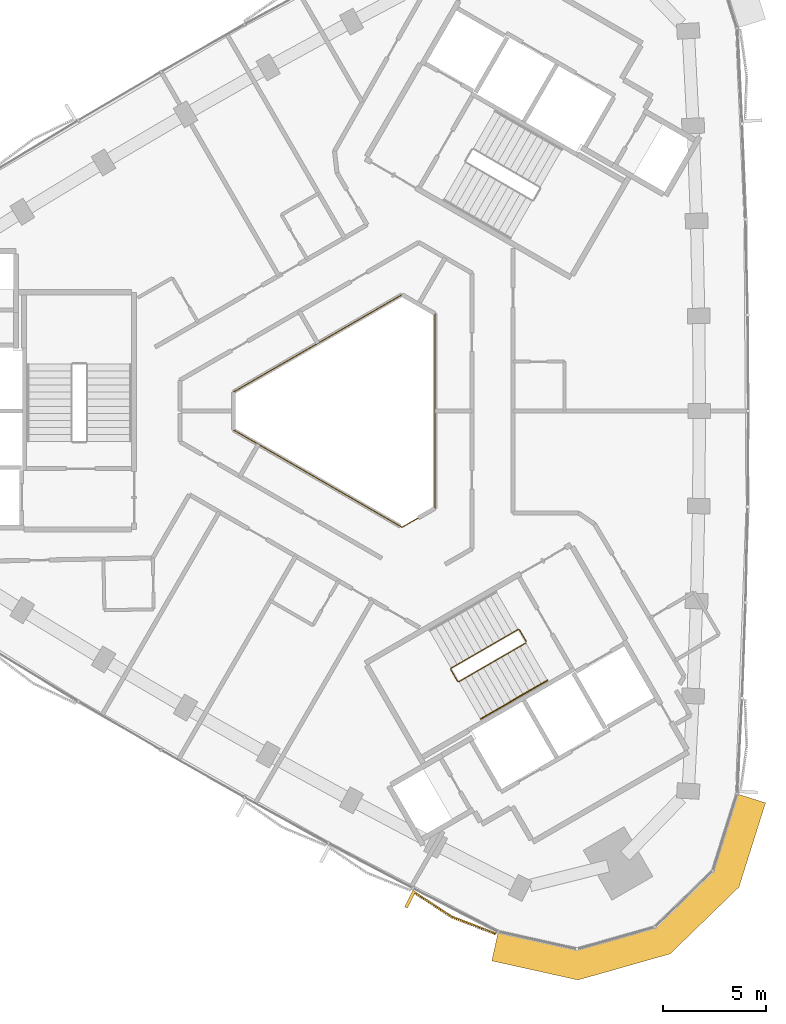
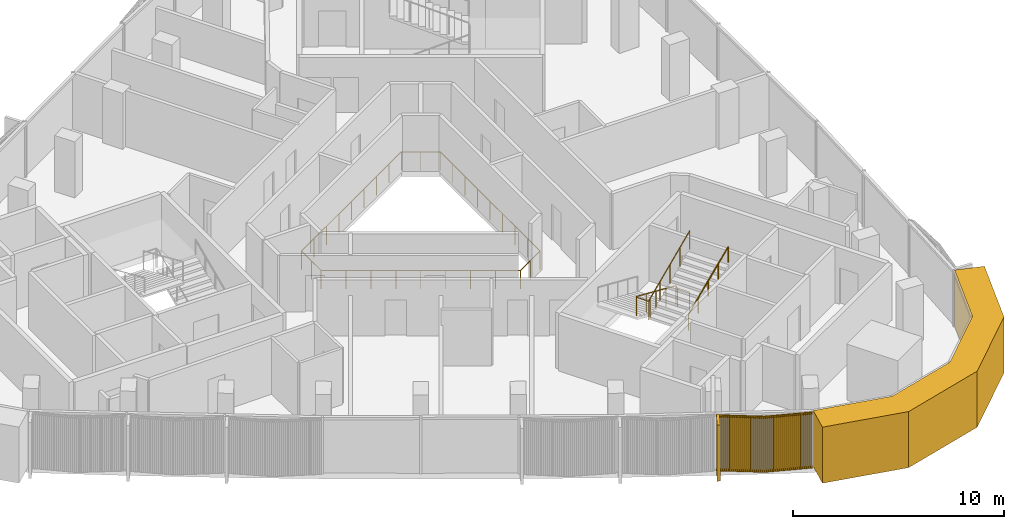
# One storey, part 13 of 16: 3 railings, 2 coverings.
"""IFC4 building model written with IfcOpenShell, lengths in metres."""

from ifc_helpers import new_model, si_unit, direction, frame, frame_2d, origin, origin_2d, place, context, subcontext, project, spatial, polyline, rectangle, circle, outline, extrude, source, transform, mapped, material, layer, layer_set, type_object, element, save


model = new_model("IFC4")

# Units and contexts
model_context = context("Model", 3, precision=1e-05, world=origin(), true_north=direction((0.0, 1.0)))
body_context = subcontext(model_context, "Body", "Model", "MODEL_VIEW")
ifc_project = project(units=[si_unit("LENGTHUNIT", "METRE"), si_unit("AREAUNIT", "SQUARE_METRE"), si_unit("VOLUMEUNIT", "CUBIC_METRE"), si_unit("PLANEANGLEUNIT", "RADIAN"), si_unit("MASSUNIT", "GRAM", prefix="KILO")], contexts=[model_context])

# Site, building, storey
site_placement = place(None, origin())
site = spatial("IfcSite", under=ifc_project, at=site_placement, CompositionType="ELEMENT")
building_placement = place(site_placement, origin())
building = spatial("IfcBuilding", under=site, at=building_placement, Name="Tamra Quay Hotel Tower", CompositionType="ELEMENT")
storey_placement = place(building_placement, frame((0.0, 0.0, 239.39990234375)))
storey = spatial("IfcBuildingStorey", under=building, at=storey_placement, Name="L60", CompositionType="ELEMENT", Elevation=239.39990234375)

# Covering
ifc_material_1 = material(Name="Precast concrete M60 terracotta-coloured", Category="masonry")
ifc_layer = layer(ifc_material_1, 1.449951171875)
ifc_layer_set = layer_set([ifc_layer], Name="CORNER PIER PANEL")
covering_type_1 = type_object("IfcCoveringType", Name="CORNER PIER PANEL", PredefinedType="CLADDING", material=ifc_layer_set)
covering_1_placement = place(storey_placement, origin())
element("IfcCovering", 1, at=covering_1_placement, inside=storey, type_object=covering_type_1, Name="Corner pier L60.south-west", PredefinedType="CLADDING", context=body_context, shape_type="SweptSolid", body=[
    extrude(outline(polyline([(6.880615234375, -25.343017578125), (6.567138671875, -26.758544921875), (10.763671875, -27.68798828125), (15.250732421875, -26.415283203125), (18.5966796875, -23.165771484375), (19.89013671875, -19.066650390625), (18.50732421875, -18.63037109375), (17.323974609375, -22.38037109375), (14.503173828125, -25.1201171875), (10.719970703125, -26.193115234375), (6.880615234375, -25.343017578125)])), origin(), (0.0, 0.0, 1.0), 3.25),
])

# Railings
ifc_material_2 = material(Name="Guard atrium edge 1100")
railing_type_1 = type_object("IfcRailingType", Name="Guard atrium edge 1100", PredefinedType="GUARDRAIL", material=ifc_material_2)
railing_1_placement = place(storey_placement, frame((3.800048828125, -4.73388671875, 0.0)))
element("IfcRailing", 2, at=railing_1_placement, inside=storey, type_object=railing_type_1, Name="G-A", PredefinedType="GUARDRAIL", context=body_context, shape_type="SweptSolid", body=[
    extrude(circle(Radius=0.02392578125, at=origin_2d()), frame((0.0, 0.0, 1.076171875), z_axis=(-0.865965533559, -0.500103683937, 0.0), x_axis=(0.500103683937, -0.865965533559, 0.0)), (0.0, 0.0, 1.0), 1.84765625),
    extrude(circle(Radius=0.02392578125, at=origin_2d()), frame((-1.60009765625, -0.924072265625, 1.076171875), z_axis=(-0.86604174356, 0.49997169761, 0.0), x_axis=(-0.49997169761, -0.86604174356, 0.0)), (0.0, 0.0, 1.0), 9.46826171875),
    extrude(circle(Radius=0.02392578125, at=origin_2d()), frame((-9.800048828125, 3.809814453125, 1.076171875), z_axis=(0.0, 1.0, 0.0), x_axis=(-1.0, 0.0, 0.0)), (0.0, 0.0, 1.0), 1.84814453125),
    extrude(circle(Radius=0.02392578125, at=origin_2d()), frame((-9.800048828125, 5.657958984375, 1.076171875), z_axis=(0.86604174356, 0.49997169761, 0.0), x_axis=(-0.49997169761, 0.86604174356, 0.0)), (0.0, 0.0, 1.0), 9.46826171875),
    extrude(circle(Radius=0.02392578125, at=origin_2d()), frame((-1.60009765625, 10.391845703125, 1.076171875), z_axis=(0.865965533559, -0.500103683937, 0.0), x_axis=(0.500103683937, 0.865965533559, 0.0)), (0.0, 0.0, 1.0), 1.84765625),
    extrude(circle(Radius=0.02392578125, at=origin_2d()), frame((0.0, 9.4677734375, 1.076171875), z_axis=(0.0, -1.0, 0.0), x_axis=(1.0, 0.0, 0.0)), (0.0, 0.0, 1.0), 9.4677734375),
    extrude(circle(Radius=0.02099609375, at=origin_2d()), origin(), (0.0, 0.0, 1.0), 1.052001953125),
    extrude(circle(Radius=0.02099609375, at=origin_2d()), frame((-0.800048828125, -0.4619140625, 0.0)), (0.0, 0.0, 1.0), 1.052001953125),
    extrude(circle(Radius=0.02099609375, at=origin_2d()), frame((-1.60009765625, -0.924072265625, 0.0)), (0.0, 0.0, 1.0), 1.052001953125),
    extrude(circle(Radius=0.02099609375, at=origin_2d()), frame((-2.625, -0.332275390625, 0.0)), (0.0, 0.0, 1.0), 1.052001953125),
    extrude(circle(Radius=0.02099609375, at=origin_2d()), frame((-3.650146484375, 0.25927734375, 0.0)), (0.0, 0.0, 1.0), 1.052001953125),
    extrude(circle(Radius=0.02099609375, at=origin_2d()), frame((-4.675048828125, 0.85107421875, 0.0)), (0.0, 0.0, 1.0), 1.052001953125),
    extrude(circle(Radius=0.02099609375, at=origin_2d()), frame((-5.7001953125, 1.44287109375, 0.0)), (0.0, 0.0, 1.0), 1.052001953125),
    extrude(circle(Radius=0.02099609375, at=origin_2d()), frame((-6.72509765625, 2.03466796875, 0.0)), (0.0, 0.0, 1.0), 1.052001953125),
    extrude(circle(Radius=0.02099609375, at=origin_2d()), frame((-7.75, 2.62646484375, 0.0)), (0.0, 0.0, 1.0), 1.052001953125),
    extrude(circle(Radius=0.02099609375, at=origin_2d()), frame((-8.775146484375, 3.218017578125, 0.0)), (0.0, 0.0, 1.0), 1.052001953125),
    extrude(circle(Radius=0.02099609375, at=origin_2d()), frame((-9.800048828125, 3.809814453125, 0.0)), (0.0, 0.0, 1.0), 1.052001953125),
    extrude(circle(Radius=0.02099609375, at=origin_2d()), frame((-9.800048828125, 4.73388671875, 0.0)), (0.0, 0.0, 1.0), 1.052001953125),
    extrude(circle(Radius=0.02099609375, at=origin_2d()), frame((-9.800048828125, 5.657958984375, 0.0)), (0.0, 0.0, 1.0), 1.052001953125),
    extrude(circle(Radius=0.02099609375, at=origin_2d()), frame((-8.775146484375, 6.249755859375, 0.0)), (0.0, 0.0, 1.0), 1.052001953125),
    extrude(circle(Radius=0.02099609375, at=origin_2d()), frame((-7.75, 6.84130859375, 0.0)), (0.0, 0.0, 1.0), 1.052001953125),
    extrude(circle(Radius=0.02099609375, at=origin_2d()), frame((-6.72509765625, 7.43310546875, 0.0)), (0.0, 0.0, 1.0), 1.052001953125),
    extrude(circle(Radius=0.02099609375, at=origin_2d()), frame((-5.7001953125, 8.02490234375, 0.0)), (0.0, 0.0, 1.0), 1.052001953125),
    extrude(circle(Radius=0.02099609375, at=origin_2d()), frame((-4.675048828125, 8.61669921875, 0.0)), (0.0, 0.0, 1.0), 1.052001953125),
    extrude(circle(Radius=0.02099609375, at=origin_2d()), frame((-3.650146484375, 9.20849609375, 0.0)), (0.0, 0.0, 1.0), 1.052001953125),
    extrude(circle(Radius=0.02099609375, at=origin_2d()), frame((-2.625, 9.800048828125, 0.0)), (0.0, 0.0, 1.0), 1.052001953125),
    extrude(circle(Radius=0.02099609375, at=origin_2d()), frame((-1.60009765625, 10.391845703125, 0.0)), (0.0, 0.0, 1.0), 1.052001953125),
    extrude(circle(Radius=0.02099609375, at=origin_2d()), frame((-0.800048828125, 9.9296875, 0.0)), (0.0, 0.0, 1.0), 1.052001953125),
    extrude(circle(Radius=0.02099609375, at=origin_2d()), frame((0.0, 9.4677734375, 0.0)), (0.0, 0.0, 1.0), 1.052001953125),
    extrude(circle(Radius=0.02099609375, at=origin_2d()), frame((0.0, 8.2841796875, 0.0)), (0.0, 0.0, 1.0), 1.052001953125),
    extrude(circle(Radius=0.02099609375, at=origin_2d()), frame((0.0, 7.100830078125, 0.0)), (0.0, 0.0, 1.0), 1.052001953125),
    extrude(circle(Radius=0.02099609375, at=origin_2d()), frame((0.0, 5.91748046875, 0.0)), (0.0, 0.0, 1.0), 1.052001953125),
    extrude(circle(Radius=0.02099609375, at=origin_2d()), frame((0.0, 4.73388671875, 0.0)), (0.0, 0.0, 1.0), 1.052001953125),
    extrude(circle(Radius=0.02099609375, at=origin_2d()), frame((0.0, 3.55029296875, 0.0)), (0.0, 0.0, 1.0), 1.052001953125),
    extrude(circle(Radius=0.02099609375, at=origin_2d()), frame((0.0, 2.366943359375, 0.0)), (0.0, 0.0, 1.0), 1.052001953125),
    extrude(circle(Radius=0.02099609375, at=origin_2d()), frame((0.0, 1.18359375, 0.0)), (0.0, 0.0, 1.0), 1.052001953125),
])
ifc_material_3 = material(Name="Stair guard 1100")
railing_type_2 = type_object("IfcRailingType", Name="Stair guard 1100", PredefinedType="GUARDRAIL", material=ifc_material_3)
railing_2_placement = place(storey_placement, frame((8.245849609375, -11.221923828125, 0.0)))
element("IfcRailing", 3, at=railing_2_placement, inside=storey, type_object=railing_type_2, Name="GR", PredefinedType="GUARDRAIL", context=body_context, shape_type="SweptSolid", body=[
    extrude(circle(Radius=0.02392578125, at=origin_2d()), frame((0.0, 0.0, 1.076171875), z_axis=(-0.500043078269, 0.866000531106, 0.0), x_axis=(-0.866000531106, -0.500043078269, 0.0)), (0.0, 0.0, 1.0), 0.6591796875),
    extrude(circle(Radius=0.02392578125, at=origin_2d()), frame((-0.32958984375, 0.57080078125, 1.076171875), z_axis=(-0.411831509231, 0.110312011401, 0.90455849349), x_axis=(-0.258736085224, -0.965948051503, 0.0)), (0.0, 0.0, 1.0), 0.166015625),
    extrude(circle(Radius=0.02392578125, at=origin_2d()), frame((-0.39794921875, 0.589111328125, 1.22607421875), z_axis=(-0.793100512587, -0.457912285461, 0.401631567183), x_axis=(0.500012686397, -0.866018079166, 0.0)), (0.0, 0.0, 1.0), 4.10791015625),
    extrude(circle(Radius=0.02392578125, at=origin_2d()), frame((-3.656005859375, -1.2919921875, 2.8759765625), z_axis=(-0.256368644879, -0.966579080015, 0.0), x_axis=(0.966579080015, -0.256368644879, 0.0)), (0.0, 0.0, 1.0), 0.070556640625),
    extrude(circle(Radius=0.02392578125, at=origin_2d()), frame((-3.674072265625, -1.360107421875, 2.8759765625), z_axis=(0.499765215335, -0.866160914346, 0.0), x_axis=(0.866160914346, 0.499765215335, 0.0)), (0.0, 0.0, 1.0), 0.658935546875),
    extrude(circle(Radius=0.02392578125, at=origin_2d()), frame((-3.3447265625, -1.930908203125, 2.8759765625), z_axis=(0.411831509231, -0.110312011401, 0.90455849349), x_axis=(0.258736085224, 0.965948051503, 0.0)), (0.0, 0.0, 1.0), 0.166015625),
    extrude(circle(Radius=0.02392578125, at=origin_2d()), frame((-3.2763671875, -1.94921875, 3.0263671875), z_axis=(0.793100512587, 0.457912285461, 0.401631567183), x_axis=(-0.500012686397, 0.866018079166, 0.0)), (0.0, 0.0, 1.0), 4.10791015625),
    extrude(circle(Radius=0.02099609375, at=origin_2d()), origin(), (0.0, 0.0, 1.0), 1.052001953125),
    extrude(circle(Radius=0.02099609375, at=origin_2d()), frame((-0.32958984375, 0.57080078125, 0.0)), (0.0, 0.0, 1.0), 1.052001953125),
    extrude(circle(Radius=0.02099609375, at=origin_2d()), frame((-0.39794921875, 0.589111328125, 0.150146484375)), (0.0, 0.0, 1.0), 1.052001953125),
    extrude(circle(Radius=0.02099609375, at=origin_2d()), frame((-1.21240234375, 0.118896484375, 0.5625)), (0.0, 0.0, 1.0), 1.052001953125),
    extrude(circle(Radius=0.02099609375, at=origin_2d()), frame((-2.02685546875, -0.3515625, 0.97509765625)), (0.0, 0.0, 1.0), 1.052001953125),
    extrude(circle(Radius=0.02099609375, at=origin_2d()), frame((-2.841552734375, -0.82177734375, 1.3876953125)), (0.0, 0.0, 1.0), 1.052001953125),
    extrude(circle(Radius=0.02099609375, at=origin_2d()), frame((-3.656005859375, -1.2919921875, 1.800048828125)), (0.0, 0.0, 1.0), 1.052001953125),
    extrude(circle(Radius=0.02099609375, at=origin_2d()), frame((-3.674072265625, -1.360107421875, 1.800048828125)), (0.0, 0.0, 1.0), 1.052001953125),
    extrude(circle(Radius=0.02099609375, at=origin_2d()), frame((-3.3447265625, -1.930908203125, 1.800048828125)), (0.0, 0.0, 1.0), 1.052001953125),
    extrude(circle(Radius=0.02099609375, at=origin_2d()), frame((-3.2763671875, -1.94921875, 1.9501953125)), (0.0, 0.0, 1.0), 1.052001953125),
    extrude(circle(Radius=0.02099609375, at=origin_2d()), frame((-2.4619140625, -1.47900390625, 2.36279296875)), (0.0, 0.0, 1.0), 1.052001953125),
    extrude(circle(Radius=0.02099609375, at=origin_2d()), frame((-1.6474609375, -1.0087890625, 2.775146484375)), (0.0, 0.0, 1.0), 1.052001953125),
    extrude(circle(Radius=0.02099609375, at=origin_2d()), frame((-0.832763671875, -0.538330078125, 3.1875)), (0.0, 0.0, 1.0), 1.052001953125),
    extrude(circle(Radius=0.02099609375, at=origin_2d()), frame((-0.018310546875, -0.068115234375, 3.60009765625)), (0.0, 0.0, 1.0), 1.052001953125),
])
ifc_material_4 = material(Name="Stair handrail 900")
railing_type_3 = type_object("IfcRailingType", Name="Stair handrail 900", PredefinedType="HANDRAIL", material=ifc_material_4)
railing_3_placement = place(storey_placement, frame((6.01953125, -14.98974609375, 1.9501953125)))
element("IfcRailing", 4, at=railing_3_placement, inside=storey, type_object=railing_type_3, Name="HR", PredefinedType="HANDRAIL", context=body_context, shape_type="SweptSolid", body=[
    extrude(circle(Radius=0.02392578125, at=origin_2d()), frame((0.0, 0.0, 0.8759765625), z_axis=(0.79310004713, 0.457886897714, 0.401661429744), x_axis=(-0.499992114976, 0.866029956157, 0.0)), (0.0, 0.0, 1.0), 4.107666015625),
    extrude(circle(Radius=0.02099609375, at=origin_2d()), origin(), (0.0, 0.0, 1.0), 0.851806640625),
    extrude(circle(Radius=0.02099609375, at=origin_2d()), frame((0.814453125, 0.47021484375, 0.41259765625)), (0.0, 0.0, 1.0), 0.851806640625),
    extrude(circle(Radius=0.02099609375, at=origin_2d()), frame((1.62890625, 0.9404296875, 0.824951171875)), (0.0, 0.0, 1.0), 0.851806640625),
    extrude(circle(Radius=0.02099609375, at=origin_2d()), frame((2.443359375, 1.41064453125, 1.2373046875)), (0.0, 0.0, 1.0), 0.851806640625),
    extrude(circle(Radius=0.02099609375, at=origin_2d()), frame((3.2578125, 1.880859375, 1.64990234375)), (0.0, 0.0, 1.0), 0.851806640625),
])

# Covering
ifc_material_5 = material(Name="Terracotta baguette extruded", Category="masonry")
covering_type_2 = type_object("IfcCoveringType", Name="BAGUETTE SCREEN SW-V H3250", PredefinedType="USERDEFINED", material=ifc_material_5)
shared_shape = source(origin(), body_context, "Body", "SweptSolid", [
    extrude(rectangle(XDim=2.295166015625, YDim=0.06005859375, at=frame_2d((1.1474609375, 0.030029296875))), frame((-2.288818359375, -0.0576171875, -0.1201171875), z_axis=(0.0, 0.0, 1.0), x_axis=(0.994521895368, -0.104528463268, 0.0)), (0.0, 0.0, 1.0), 0.1201171875),
    extrude(rectangle(XDim=2.295166015625, YDim=0.06005859375, at=frame_2d((1.1474609375, 0.030029296875))), frame((-2.288818359375, -0.0576171875, -3.25), z_axis=(0.0, 0.0, 1.0), x_axis=(0.994521895368, -0.104528463268, 0.0)), (0.0, 0.0, 1.0), 0.1201171875),
    extrude(rectangle(XDim=0.070068359375, YDim=0.10009765625, at=frame_2d((0.03515625, 0.050048828125))), frame((-2.267822265625, -0.13330078125, -3.18994140625)), (0.0, 0.0, 1.0), 3.1298828125),
    extrude(rectangle(XDim=0.070068359375, YDim=0.10009765625, at=frame_2d((0.03515625, 0.050048828125))), frame((-2.168701171875, -0.1435546875, -3.18994140625)), (0.0, 0.0, 1.0), 3.1298828125),
    extrude(rectangle(XDim=0.070068359375, YDim=0.10009765625, at=frame_2d((0.03515625, 0.050048828125))), frame((-2.0693359375, -0.154052734375, -3.18994140625)), (0.0, 0.0, 1.0), 3.1298828125),
    extrude(rectangle(XDim=0.070068359375, YDim=0.10009765625, at=frame_2d((0.03515625, 0.050048828125))), frame((-1.97021484375, -0.16455078125, -3.18994140625)), (0.0, 0.0, 1.0), 3.1298828125),
    extrude(rectangle(XDim=0.070068359375, YDim=0.10009765625, at=frame_2d((0.03515625, 0.050048828125))), frame((-1.870849609375, -0.175048828125, -3.18994140625)), (0.0, 0.0, 1.0), 3.1298828125),
    extrude(rectangle(XDim=0.070068359375, YDim=0.10009765625, at=frame_2d((0.03515625, 0.050048828125))), frame((-1.771728515625, -0.185302734375, -3.18994140625)), (0.0, 0.0, 1.0), 3.1298828125),
    extrude(rectangle(XDim=0.070068359375, YDim=0.10009765625, at=frame_2d((0.03515625, 0.050048828125))), frame((-1.67236328125, -0.19580078125, -3.18994140625)), (0.0, 0.0, 1.0), 3.1298828125),
    extrude(rectangle(XDim=0.070068359375, YDim=0.10009765625, at=frame_2d((0.03515625, 0.050048828125))), frame((-1.5732421875, -0.206298828125, -3.18994140625)), (0.0, 0.0, 1.0), 3.1298828125),
    extrude(rectangle(XDim=0.070068359375, YDim=0.10009765625, at=frame_2d((0.03515625, 0.050048828125))), frame((-1.473876953125, -0.216552734375, -3.18994140625)), (0.0, 0.0, 1.0), 3.1298828125),
    extrude(rectangle(XDim=0.070068359375, YDim=0.10009765625, at=frame_2d((0.03515625, 0.050048828125))), frame((-1.374755859375, -0.22705078125, -3.18994140625)), (0.0, 0.0, 1.0), 3.1298828125),
    extrude(rectangle(XDim=0.070068359375, YDim=0.10009765625, at=frame_2d((0.03515625, 0.050048828125))), frame((-1.275390625, -0.237548828125, -3.18994140625)), (0.0, 0.0, 1.0), 3.1298828125),
    extrude(rectangle(XDim=0.070068359375, YDim=0.10009765625, at=frame_2d((0.03515625, 0.050048828125))), frame((-1.17626953125, -0.248046875, -3.18994140625)), (0.0, 0.0, 1.0), 3.1298828125),
    extrude(rectangle(XDim=0.070068359375, YDim=0.10009765625, at=frame_2d((0.03515625, 0.050048828125))), frame((-1.076904296875, -0.25830078125, -3.18994140625)), (0.0, 0.0, 1.0), 3.1298828125),
    extrude(rectangle(XDim=0.070068359375, YDim=0.10009765625, at=frame_2d((0.03515625, 0.050048828125))), frame((-0.977783203125, -0.268798828125, -3.18994140625)), (0.0, 0.0, 1.0), 3.1298828125),
    extrude(rectangle(XDim=0.070068359375, YDim=0.10009765625, at=frame_2d((0.03515625, 0.050048828125))), frame((-0.87841796875, -0.279296875, -3.18994140625)), (0.0, 0.0, 1.0), 3.1298828125),
    extrude(rectangle(XDim=0.070068359375, YDim=0.10009765625, at=frame_2d((0.03515625, 0.050048828125))), frame((-0.779296875, -0.28955078125, -3.18994140625)), (0.0, 0.0, 1.0), 3.1298828125),
    extrude(rectangle(XDim=0.070068359375, YDim=0.10009765625, at=frame_2d((0.03515625, 0.050048828125))), frame((-0.679931640625, -0.300048828125, -3.18994140625)), (0.0, 0.0, 1.0), 3.1298828125),
    extrude(rectangle(XDim=0.070068359375, YDim=0.10009765625, at=frame_2d((0.03515625, 0.050048828125))), frame((-0.580810546875, -0.310546875, -3.18994140625)), (0.0, 0.0, 1.0), 3.1298828125),
    extrude(rectangle(XDim=0.070068359375, YDim=0.10009765625, at=frame_2d((0.03515625, 0.050048828125))), frame((-0.481689453125, -0.321044921875, -3.18994140625)), (0.0, 0.0, 1.0), 3.1298828125),
    extrude(rectangle(XDim=0.070068359375, YDim=0.10009765625, at=frame_2d((0.03515625, 0.050048828125))), frame((-0.38232421875, -0.331298828125, -3.18994140625)), (0.0, 0.0, 1.0), 3.1298828125),
    extrude(rectangle(XDim=0.070068359375, YDim=0.10009765625, at=frame_2d((0.03515625, 0.050048828125))), frame((-0.283203125, -0.341796875, -3.18994140625)), (0.0, 0.0, 1.0), 3.1298828125),
    extrude(rectangle(XDim=0.070068359375, YDim=0.10009765625, at=frame_2d((0.03515625, 0.050048828125))), frame((-0.183837890625, -0.352294921875, -3.18994140625)), (0.0, 0.0, 1.0), 3.1298828125),
    extrude(rectangle(XDim=0.070068359375, YDim=0.10009765625, at=frame_2d((0.03515625, 0.050048828125))), frame((-0.084716796875, -0.36279296875, -3.18994140625)), (0.0, 0.0, 1.0), 3.1298828125),
    extrude(rectangle(XDim=2.295166015625, YDim=0.06005859375, at=frame_2d((1.1474609375, 0.030029296875))), frame((0.00634765625, -0.297607421875, -0.1201171875), z_axis=(0.0, 0.0, 1.0), x_axis=(0.994521895368, 0.104528463268, 0.0)), (0.0, 0.0, 1.0), 0.1201171875),
    extrude(rectangle(XDim=2.295166015625, YDim=0.06005859375, at=frame_2d((1.1474609375, 0.030029296875))), frame((0.00634765625, -0.297607421875, -3.25), z_axis=(0.0, 0.0, 1.0), x_axis=(0.994521895368, 0.104528463268, 0.0)), (0.0, 0.0, 1.0), 0.1201171875),
    extrude(rectangle(XDim=0.070068359375, YDim=0.10009765625, at=frame_2d((0.03515625, 0.050048828125))), frame((0.0146484375, -0.36279296875, -3.18994140625)), (0.0, 0.0, 1.0), 3.1298828125),
    extrude(rectangle(XDim=0.070068359375, YDim=0.10009765625, at=frame_2d((0.03515625, 0.050048828125))), frame((0.11376953125, -0.352294921875, -3.18994140625)), (0.0, 0.0, 1.0), 3.1298828125),
    extrude(rectangle(XDim=0.070068359375, YDim=0.10009765625, at=frame_2d((0.03515625, 0.050048828125))), frame((0.213134765625, -0.341796875, -3.18994140625)), (0.0, 0.0, 1.0), 3.1298828125),
    extrude(rectangle(XDim=0.070068359375, YDim=0.10009765625, at=frame_2d((0.03515625, 0.050048828125))), frame((0.312255859375, -0.331298828125, -3.18994140625)), (0.0, 0.0, 1.0), 3.1298828125),
    extrude(rectangle(XDim=0.070068359375, YDim=0.10009765625, at=frame_2d((0.03515625, 0.050048828125))), frame((0.41162109375, -0.321044921875, -3.18994140625)), (0.0, 0.0, 1.0), 3.1298828125),
    extrude(rectangle(XDim=0.070068359375, YDim=0.10009765625, at=frame_2d((0.03515625, 0.050048828125))), frame((0.5107421875, -0.310546875, -3.18994140625)), (0.0, 0.0, 1.0), 3.1298828125),
    extrude(rectangle(XDim=0.070068359375, YDim=0.10009765625, at=frame_2d((0.03515625, 0.050048828125))), frame((0.610107421875, -0.300048828125, -3.18994140625)), (0.0, 0.0, 1.0), 3.1298828125),
    extrude(rectangle(XDim=0.070068359375, YDim=0.10009765625, at=frame_2d((0.03515625, 0.050048828125))), frame((0.709228515625, -0.28955078125, -3.18994140625)), (0.0, 0.0, 1.0), 3.1298828125),
    extrude(rectangle(XDim=0.070068359375, YDim=0.10009765625, at=frame_2d((0.03515625, 0.050048828125))), frame((0.80859375, -0.279296875, -3.18994140625)), (0.0, 0.0, 1.0), 3.1298828125),
    extrude(rectangle(XDim=0.070068359375, YDim=0.10009765625, at=frame_2d((0.03515625, 0.050048828125))), frame((0.90771484375, -0.268798828125, -3.18994140625)), (0.0, 0.0, 1.0), 3.1298828125),
    extrude(rectangle(XDim=0.070068359375, YDim=0.10009765625, at=frame_2d((0.03515625, 0.050048828125))), frame((1.007080078125, -0.25830078125, -3.18994140625)), (0.0, 0.0, 1.0), 3.1298828125),
    extrude(rectangle(XDim=0.070068359375, YDim=0.10009765625, at=frame_2d((0.03515625, 0.050048828125))), frame((1.106201171875, -0.248046875, -3.18994140625)), (0.0, 0.0, 1.0), 3.1298828125),
    extrude(rectangle(XDim=0.070068359375, YDim=0.10009765625, at=frame_2d((0.03515625, 0.050048828125))), frame((1.20556640625, -0.237548828125, -3.18994140625)), (0.0, 0.0, 1.0), 3.1298828125),
    extrude(rectangle(XDim=0.070068359375, YDim=0.10009765625, at=frame_2d((0.03515625, 0.050048828125))), frame((1.3046875, -0.22705078125, -3.18994140625)), (0.0, 0.0, 1.0), 3.1298828125),
    extrude(rectangle(XDim=0.070068359375, YDim=0.10009765625, at=frame_2d((0.03515625, 0.050048828125))), frame((1.404052734375, -0.216552734375, -3.18994140625)), (0.0, 0.0, 1.0), 3.1298828125),
    extrude(rectangle(XDim=0.070068359375, YDim=0.10009765625, at=frame_2d((0.03515625, 0.050048828125))), frame((1.503173828125, -0.206298828125, -3.18994140625)), (0.0, 0.0, 1.0), 3.1298828125),
    extrude(rectangle(XDim=0.070068359375, YDim=0.10009765625, at=frame_2d((0.03515625, 0.050048828125))), frame((1.6025390625, -0.19580078125, -3.18994140625)), (0.0, 0.0, 1.0), 3.1298828125),
    extrude(rectangle(XDim=0.070068359375, YDim=0.10009765625, at=frame_2d((0.03515625, 0.050048828125))), frame((1.70166015625, -0.185302734375, -3.18994140625)), (0.0, 0.0, 1.0), 3.1298828125),
    extrude(rectangle(XDim=0.070068359375, YDim=0.10009765625, at=frame_2d((0.03515625, 0.050048828125))), frame((1.801025390625, -0.175048828125, -3.18994140625)), (0.0, 0.0, 1.0), 3.1298828125),
    extrude(rectangle(XDim=0.070068359375, YDim=0.10009765625, at=frame_2d((0.03515625, 0.050048828125))), frame((1.900146484375, -0.16455078125, -3.18994140625)), (0.0, 0.0, 1.0), 3.1298828125),
    extrude(rectangle(XDim=0.070068359375, YDim=0.10009765625, at=frame_2d((0.03515625, 0.050048828125))), frame((1.99951171875, -0.154052734375, -3.18994140625)), (0.0, 0.0, 1.0), 3.1298828125),
    extrude(rectangle(XDim=0.070068359375, YDim=0.10009765625, at=frame_2d((0.03515625, 0.050048828125))), frame((2.0986328125, -0.1435546875, -3.18994140625)), (0.0, 0.0, 1.0), 3.1298828125),
    extrude(rectangle(XDim=0.070068359375, YDim=0.10009765625, at=frame_2d((0.03515625, 0.050048828125))), frame((2.197998046875, -0.13330078125, -3.18994140625)), (0.0, 0.0, 1.0), 3.1298828125),
    extrude(rectangle(XDim=0.14990234375, YDim=0.902099609375, at=frame_2d((0.074951171875, 0.451171875))), frame((-2.282470703125, -0.89990234375, -3.25)), (0.0, 0.0, 1.0), 3.25),
])
covering_2_placement = place(storey_placement, frame((4.767822265625, -24.357177734375, 3.25), z_axis=(0.0, 0.0, 1.0), x_axis=(0.890581934038, -0.454822843276, 0.0)))
element("IfcCovering", 5, at=covering_2_placement, inside=storey, type_object=covering_type_2, Name="Baguette screen L60.SW.f07", ObjectType="BAGUETTE SCREEN", PredefinedType="USERDEFINED", context=body_context, shape_type="MappedRepresentation", body=[
    mapped(shared_shape, transform((0.0, 0.0, 0.0), scale=1.0)),
])

save(model, "model.ifc")
